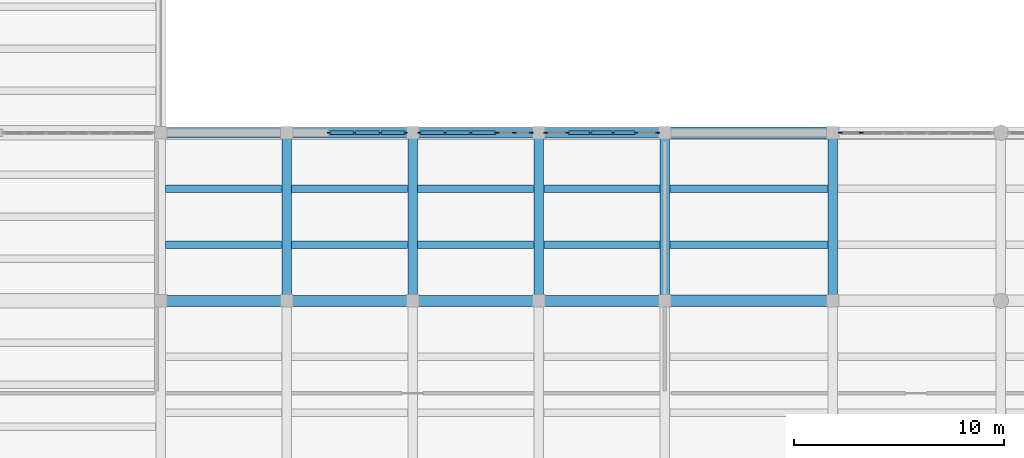
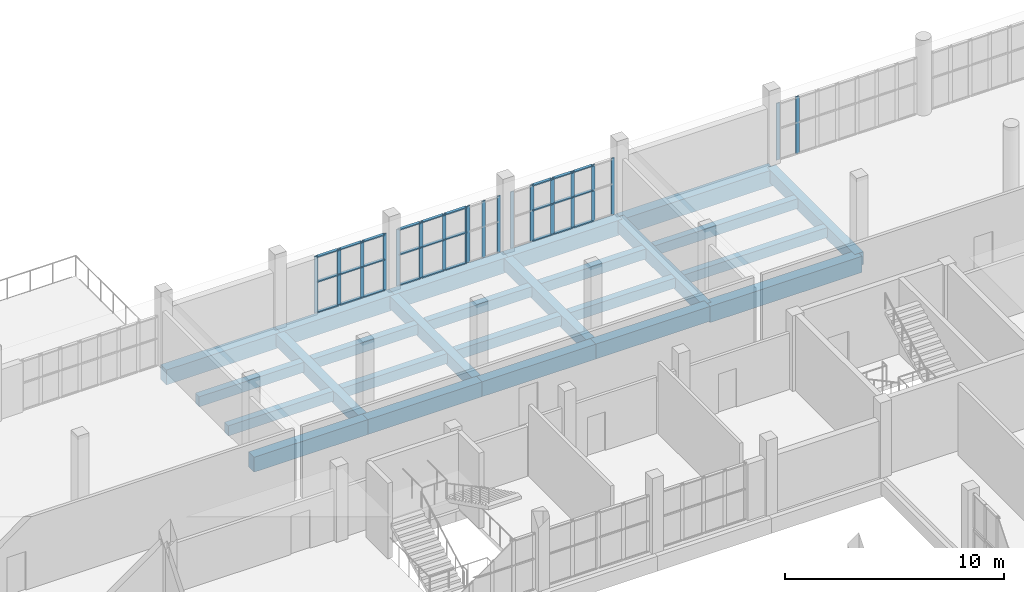
# One storey, part 25 of 85: 46 members, 25 beams, 5 elements without a shape of their own.
"""IFC4 building model written with IfcOpenShell, lengths in metres."""

from ifc_helpers import new_model, si_unit, direction, frame, origin, origin_2d, place, context, subcontext, project, spatial, rectangle, extrude, material, layer, layer_set, material_profile, profile_set, type_object, element, aggregate, save


model = new_model("IFC4")

# Units and contexts
model_context = context("Model", 3, precision=1e-05, world=origin(), true_north=direction((0.0, 1.0)))
body_context = subcontext(model_context, "Body", "Model", "MODEL_VIEW")
ifc_project = project(units=[si_unit("LENGTHUNIT", "METRE"), si_unit("AREAUNIT", "SQUARE_METRE"), si_unit("VOLUMEUNIT", "CUBIC_METRE"), si_unit("PLANEANGLEUNIT", "RADIAN"), si_unit("MASSUNIT", "GRAM", prefix="KILO")], contexts=[model_context])

# Site, building, storey
site_placement = place(None, origin())
site = spatial("IfcSite", under=ifc_project, at=site_placement, CompositionType="ELEMENT")
building_placement = place(site_placement, origin())
building = spatial("IfcBuilding", under=site, at=building_placement, Name="Solvane Community Centre", CompositionType="ELEMENT")
storey_placement = place(building_placement, frame((0.0, 0.0, 5.39990234375)))
storey = spatial("IfcBuildingStorey", under=building, at=storey_placement, Name="L01", CompositionType="ELEMENT", Elevation=5.39990234375)

# Curtain wall, members
ifc_material_1 = material(Name="Anodised bronze aluminium AW-6063 T6", Category="aluminium")
ifc_layer_1 = layer(ifc_material_1, 0.18994140625)
ifc_layer_set_1 = layer_set([ifc_layer_1], Name="Anodised bronze aluminium AW-6063 T6")
curtain_wall_type_1 = type_object("IfcCurtainWallType", Name="Boulevard Bronze Vision Curtain Wall [37x31dm]", PredefinedType="NOTDEFINED", material=ifc_layer_set_1)
curtain_wall_1_placement = place(storey_placement, origin())
curtain_wall_1 = element("IfcCurtainWall", 1, at=curtain_wall_1_placement, inside=storey, type_object=curtain_wall_type_1, Name="Curtain Wall CW-L01-440_1100-088", PredefinedType="NOTDEFINED")
ifc_material_profile_1 = material_profile(ifc_material_1, rectangle(XDim=0.06005859375, YDim=0.18994140625, at=origin_2d()), Name="CW-M 60x190")
ifc_profile_set_1 = profile_set([ifc_material_profile_1], Name="Anodised bronze aluminium AW-6063 T6")
member_type_1 = type_object("IfcMemberType", Name="Boulevard Mullion 60x190", PredefinedType="MULLION", material=ifc_profile_set_1)
member_1_placement = place(storey_placement, frame((44.030029296875, 110.0, 0.0), z_axis=(0.0, 0.0, 1.0), x_axis=(0.0, 1.0, 0.0)))
member_1 = element("IfcMember", 2, at=member_1_placement, type_object=member_type_1, Name="CW02-37x31 mullion 1", PredefinedType="MULLION", context=body_context, shape_type="SweptSolid", body=[
    extrude(rectangle(XDim=0.06005859375, YDim=0.18994140625, at=origin_2d()), origin(), (0.0, 0.0, 1.0), 3.135009765625),
])
member_2_placement = place(storey_placement, frame((45.228271484375, 110.0, 0.0), z_axis=(0.0, 0.0, 1.0), x_axis=(0.0, 1.0, 0.0)))
member_2 = element("IfcMember", 3, at=member_2_placement, type_object=member_type_1, Name="CW02-37x31 mullion 2", PredefinedType="MULLION", context=body_context, shape_type="SweptSolid", body=[
    extrude(rectangle(XDim=0.06005859375, YDim=0.18994140625, at=origin_2d()), origin(), (0.0, 0.0, 1.0), 3.135009765625),
])
member_3_placement = place(storey_placement, frame((46.456787109375, 110.0, 0.0), z_axis=(0.0, 0.0, 1.0), x_axis=(0.0, 1.0, 0.0)))
member_3 = element("IfcMember", 4, at=member_3_placement, type_object=member_type_1, Name="CW02-37x31 mullion 3", PredefinedType="MULLION", context=body_context, shape_type="SweptSolid", body=[
    extrude(rectangle(XDim=0.06005859375, YDim=0.18994140625, at=origin_2d()), origin(), (0.0, 0.0, 1.0), 3.135009765625),
])
member_4_placement = place(storey_placement, frame((47.655029296875, 110.0, 0.0), z_axis=(0.0, 0.0, 1.0), x_axis=(0.0, 1.0, 0.0)))
member_4 = element("IfcMember", 5, at=member_4_placement, type_object=member_type_1, Name="CW02-37x31 mullion 4", PredefinedType="MULLION", context=body_context, shape_type="SweptSolid", body=[
    extrude(rectangle(XDim=0.06005859375, YDim=0.18994140625, at=origin_2d()), origin(), (0.0, 0.0, 1.0), 3.135009765625),
])

curtain_wall_2_placement = place(storey_placement, origin())
curtain_wall_2 = element("IfcCurtainWall", 6, at=curtain_wall_2_placement, inside=storey, type_object=curtain_wall_type_1, Name="Curtain Wall CW-L01-483_1100-089", PredefinedType="NOTDEFINED")
member_5_placement = place(storey_placement, frame((48.344970703125, 110.0, 0.0), z_axis=(0.0, 0.0, 1.0), x_axis=(0.0, 1.0, 0.0)))
member_5 = element("IfcMember", 7, at=member_5_placement, type_object=member_type_1, Name="CW02-37x31 mullion 1", PredefinedType="MULLION", context=body_context, shape_type="SweptSolid", body=[
    extrude(rectangle(XDim=0.06005859375, YDim=0.18994140625, at=origin_2d()), origin(), (0.0, 0.0, 1.0), 3.135009765625),
])
member_6_placement = place(storey_placement, frame((49.543212890625, 110.0, 0.0), z_axis=(0.0, 0.0, 1.0), x_axis=(0.0, 1.0, 0.0)))
member_6 = element("IfcMember", 8, at=member_6_placement, type_object=member_type_1, Name="CW02-37x31 mullion 2", PredefinedType="MULLION", context=body_context, shape_type="SweptSolid", body=[
    extrude(rectangle(XDim=0.06005859375, YDim=0.18994140625, at=origin_2d()), origin(), (0.0, 0.0, 1.0), 3.135009765625),
])
member_7_placement = place(storey_placement, frame((50.771728515625, 110.0, 0.0), z_axis=(0.0, 0.0, 1.0), x_axis=(0.0, 1.0, 0.0)))
member_7 = element("IfcMember", 9, at=member_7_placement, type_object=member_type_1, Name="CW02-37x31 mullion 3", PredefinedType="MULLION", context=body_context, shape_type="SweptSolid", body=[
    extrude(rectangle(XDim=0.06005859375, YDim=0.18994140625, at=origin_2d()), origin(), (0.0, 0.0, 1.0), 3.135009765625),
])
member_8_placement = place(storey_placement, frame((51.969970703125, 110.0, 0.0), z_axis=(0.0, 0.0, 1.0), x_axis=(0.0, 1.0, 0.0)))
member_8 = element("IfcMember", 10, at=member_8_placement, type_object=member_type_1, Name="CW02-37x31 mullion 4", PredefinedType="MULLION", context=body_context, shape_type="SweptSolid", body=[
    extrude(rectangle(XDim=0.06005859375, YDim=0.18994140625, at=origin_2d()), origin(), (0.0, 0.0, 1.0), 3.135009765625),
])

ifc_layer_2 = layer(ifc_material_1, 0.18994140625)
ifc_layer_set_2 = layer_set([ifc_layer_2], Name="Anodised bronze aluminium AW-6063 T6")
curtain_wall_type_2 = type_object("IfcCurtainWallType", Name="Boulevard Bronze Vision Curtain Wall [17x31dm]", PredefinedType="NOTDEFINED", material=ifc_layer_set_2)
curtain_wall_3_placement = place(storey_placement, origin())
curtain_wall_3 = element("IfcCurtainWall", 11, at=curtain_wall_3_placement, inside=storey, type_object=curtain_wall_type_2, Name="Curtain Wall CW-L01-520_1100-090", PredefinedType="NOTDEFINED")
member_9_placement = place(storey_placement, frame((52.030029296875, 110.0, 0.0), z_axis=(0.0, 0.0, 1.0), x_axis=(0.0, 1.0, 0.0)))
member_9 = element("IfcMember", 12, at=member_9_placement, type_object=member_type_1, Name="CW02-17x31 mullion 1", PredefinedType="MULLION", context=body_context, shape_type="SweptSolid", body=[
    extrude(rectangle(XDim=0.06005859375, YDim=0.18994140625, at=origin_2d()), origin(), (0.0, 0.0, 1.0), 3.135009765625),
])
member_10_placement = place(storey_placement, frame((52.842529296875, 110.0, 0.0), z_axis=(0.0, 0.0, 1.0), x_axis=(0.0, 1.0, 0.0)))
member_10 = element("IfcMember", 13, at=member_10_placement, type_object=member_type_1, Name="CW02-17x31 mullion 2", PredefinedType="MULLION", context=body_context, shape_type="SweptSolid", body=[
    extrude(rectangle(XDim=0.06005859375, YDim=0.18994140625, at=origin_2d()), origin(), (0.0, 0.0, 1.0), 3.135009765625),
])
member_11_placement = place(storey_placement, frame((53.655029296875, 110.0, 0.0), z_axis=(0.0, 0.0, 1.0), x_axis=(0.0, 1.0, 0.0)))
member_11 = element("IfcMember", 14, at=member_11_placement, type_object=member_type_1, Name="CW02-17x31 mullion 3", PredefinedType="MULLION", context=body_context, shape_type="SweptSolid", body=[
    extrude(rectangle(XDim=0.06005859375, YDim=0.18994140625, at=origin_2d()), origin(), (0.0, 0.0, 1.0), 3.135009765625),
])
aggregate(curtain_wall_3, [member_9, member_10, member_11])

ifc_layer_3 = layer(ifc_material_1, 0.18994140625)
ifc_layer_set_3 = layer_set([ifc_layer_3], Name="Anodised bronze aluminium AW-6063 T6")
curtain_wall_type_3 = type_object("IfcCurtainWallType", Name="Boulevard Bronze Vision Curtain Wall [54x31dm]", PredefinedType="NOTDEFINED", material=ifc_layer_set_3)
curtain_wall_4_placement = place(storey_placement, origin())
curtain_wall_4 = element("IfcCurtainWall", 15, at=curtain_wall_4_placement, inside=storey, type_object=curtain_wall_type_3, Name="Curtain Wall CW-L01-543_1100-091", PredefinedType="NOTDEFINED")
member_12_placement = place(storey_placement, frame((54.344970703125, 110.0, 0.0), z_axis=(0.0, 0.0, 1.0), x_axis=(0.0, 1.0, 0.0)))
member_12 = element("IfcMember", 16, at=member_12_placement, type_object=member_type_1, Name="CW02-54x31 mullion 1", PredefinedType="MULLION", context=body_context, shape_type="SweptSolid", body=[
    extrude(rectangle(XDim=0.06005859375, YDim=0.18994140625, at=origin_2d()), origin(), (0.0, 0.0, 1.0), 3.135009765625),
])
member_13_placement = place(storey_placement, frame((55.388916015625, 110.0, 0.0), z_axis=(0.0, 0.0, 1.0), x_axis=(0.0, 1.0, 0.0)))
member_13 = element("IfcMember", 17, at=member_13_placement, type_object=member_type_1, Name="CW02-54x31 mullion 2", PredefinedType="MULLION", context=body_context, shape_type="SweptSolid", body=[
    extrude(rectangle(XDim=0.06005859375, YDim=0.18994140625, at=origin_2d()), origin(), (0.0, 0.0, 1.0), 3.135009765625),
])
member_14_placement = place(storey_placement, frame((56.462890625, 110.0, 0.0), z_axis=(0.0, 0.0, 1.0), x_axis=(0.0, 1.0, 0.0)))
member_14 = element("IfcMember", 18, at=member_14_placement, type_object=member_type_1, Name="CW02-54x31 mullion 3", PredefinedType="MULLION", context=body_context, shape_type="SweptSolid", body=[
    extrude(rectangle(XDim=0.06005859375, YDim=0.18994140625, at=origin_2d()), origin(), (0.0, 0.0, 1.0), 3.135009765625),
])
member_15_placement = place(storey_placement, frame((57.537109375, 110.0, 0.0), z_axis=(0.0, 0.0, 1.0), x_axis=(0.0, 1.0, 0.0)))
member_15 = element("IfcMember", 19, at=member_15_placement, type_object=member_type_1, Name="CW02-54x31 mullion 4", PredefinedType="MULLION", context=body_context, shape_type="SweptSolid", body=[
    extrude(rectangle(XDim=0.06005859375, YDim=0.18994140625, at=origin_2d()), origin(), (0.0, 0.0, 1.0), 3.135009765625),
])
member_16_placement = place(storey_placement, frame((58.611083984375, 110.0, 0.0), z_axis=(0.0, 0.0, 1.0), x_axis=(0.0, 1.0, 0.0)))
member_16 = element("IfcMember", 20, at=member_16_placement, type_object=member_type_1, Name="CW02-54x31 mullion 5", PredefinedType="MULLION", context=body_context, shape_type="SweptSolid", body=[
    extrude(rectangle(XDim=0.06005859375, YDim=0.18994140625, at=origin_2d()), origin(), (0.0, 0.0, 1.0), 3.135009765625),
])
member_17_placement = place(storey_placement, frame((59.655029296875, 110.0, 0.0), z_axis=(0.0, 0.0, 1.0), x_axis=(0.0, 1.0, 0.0)))
member_17 = element("IfcMember", 21, at=member_17_placement, type_object=member_type_1, Name="CW02-54x31 mullion 6", PredefinedType="MULLION", context=body_context, shape_type="SweptSolid", body=[
    extrude(rectangle(XDim=0.06005859375, YDim=0.18994140625, at=origin_2d()), origin(), (0.0, 0.0, 1.0), 3.135009765625),
])

ifc_layer_4 = layer(ifc_material_1, 0.18994140625)
ifc_layer_set_4 = layer_set([ifc_layer_4], Name="Anodised bronze aluminium AW-6063 T6")
curtain_wall_type_4 = type_object("IfcCurtainWallType", Name="Boulevard Bronze Vision Curtain Wall [73x32dm]", PredefinedType="NOTDEFINED", material=ifc_layer_set_4)
curtain_wall_5_placement = place(storey_placement, origin())
curtain_wall_5 = element("IfcCurtainWall", 22, at=curtain_wall_5_placement, inside=storey, type_object=curtain_wall_type_4, Name="Curtain Wall CW-L01-683_1100-092", PredefinedType="NOTDEFINED")
member_18_placement = place(storey_placement, frame((68.344970703125, 110.0, 0.0), z_axis=(0.0, 0.0, 1.0), x_axis=(0.0, 1.0, 0.0)))
member_18 = element("IfcMember", 23, at=member_18_placement, type_object=member_type_1, Name="CW02-73x32 mullion 1", PredefinedType="MULLION", context=body_context, shape_type="SweptSolid", body=[
    extrude(rectangle(XDim=0.06005859375, YDim=0.18994140625, at=origin_2d()), origin(), (0.0, 0.0, 1.0), 3.1650390625),
])
member_19_placement = place(storey_placement, frame((69.359375, 110.0, 0.0), z_axis=(0.0, 0.0, 1.0), x_axis=(0.0, 1.0, 0.0)))
member_19 = element("IfcMember", 24, at=member_19_placement, type_object=member_type_1, Name="CW02-73x32 mullion 2", PredefinedType="MULLION", context=body_context, shape_type="SweptSolid", body=[
    extrude(rectangle(XDim=0.06005859375, YDim=0.18994140625, at=origin_2d()), origin(), (0.0, 0.0, 1.0), 3.1650390625),
])
aggregate(curtain_wall_5, [member_18, member_19])

# Member
ifc_material_profile_2 = material_profile(ifc_material_1, rectangle(XDim=0.14990234375, YDim=0.06005859375, at=origin_2d()), Name="CW-T 60x150")
ifc_profile_set_2 = profile_set([ifc_material_profile_2], Name="Anodised bronze aluminium AW-6063 T6")
member_type_2 = type_object("IfcMemberType", Name="Boulevard Transom 60x150", PredefinedType="USERDEFINED", material=ifc_profile_set_2)
member_20_placement = place(storey_placement, frame((44.06005859375, 110.0, 0.030029296875), z_axis=(1.0, 0.0, 0.0), x_axis=(0.0, 1.0, 0.0)))
member_20 = element("IfcMember", 25, at=member_20_placement, type_object=member_type_2, Name="CW02-37x31 transom 1.1", ObjectType="TRANSOM", PredefinedType="USERDEFINED", context=body_context, shape_type="SweptSolid", body=[
    extrude(rectangle(XDim=0.14990234375, YDim=0.06005859375, at=origin_2d()), origin(), (0.0, 0.0, 1.0), 1.13818359375),
])

member_21_placement = place(storey_placement, frame((44.06005859375, 110.0, 1.72412109375), z_axis=(1.0, 0.0, 0.0), x_axis=(0.0, 1.0, 0.0)))
member_21 = element("IfcMember", 26, at=member_21_placement, type_object=member_type_2, Name="CW02-37x31 transom 1.2", ObjectType="TRANSOM", PredefinedType="USERDEFINED", context=body_context, shape_type="SweptSolid", body=[
    extrude(rectangle(XDim=0.14990234375, YDim=0.06005859375, at=origin_2d()), origin(), (0.0, 0.0, 1.0), 1.13818359375),
])

member_22_placement = place(storey_placement, frame((44.06005859375, 110.0, 3.10498046875), z_axis=(1.0, 0.0, 0.0), x_axis=(0.0, 1.0, 0.0)))
member_22 = element("IfcMember", 27, at=member_22_placement, type_object=member_type_2, Name="CW02-37x31 transom 1.3", ObjectType="TRANSOM", PredefinedType="USERDEFINED", context=body_context, shape_type="SweptSolid", body=[
    extrude(rectangle(XDim=0.14990234375, YDim=0.06005859375, at=origin_2d()), origin(), (0.0, 0.0, 1.0), 1.13818359375),
])

member_23_placement = place(storey_placement, frame((45.25830078125, 110.0, 0.030029296875), z_axis=(1.0, 0.0, 0.0), x_axis=(0.0, 1.0, 0.0)))
member_23 = element("IfcMember", 28, at=member_23_placement, type_object=member_type_2, Name="CW02-37x31 transom 2.1", ObjectType="TRANSOM", PredefinedType="USERDEFINED", context=body_context, shape_type="SweptSolid", body=[
    extrude(rectangle(XDim=0.14990234375, YDim=0.06005859375, at=origin_2d()), origin(), (0.0, 0.0, 1.0), 1.16845703125),
])

member_24_placement = place(storey_placement, frame((45.25830078125, 110.0, 1.72412109375), z_axis=(1.0, 0.0, 0.0), x_axis=(0.0, 1.0, 0.0)))
member_24 = element("IfcMember", 29, at=member_24_placement, type_object=member_type_2, Name="CW02-37x31 transom 2.2", ObjectType="TRANSOM", PredefinedType="USERDEFINED", context=body_context, shape_type="SweptSolid", body=[
    extrude(rectangle(XDim=0.14990234375, YDim=0.06005859375, at=origin_2d()), origin(), (0.0, 0.0, 1.0), 1.16845703125),
])

member_25_placement = place(storey_placement, frame((45.25830078125, 110.0, 3.10498046875), z_axis=(1.0, 0.0, 0.0), x_axis=(0.0, 1.0, 0.0)))
member_25 = element("IfcMember", 30, at=member_25_placement, type_object=member_type_2, Name="CW02-37x31 transom 2.3", ObjectType="TRANSOM", PredefinedType="USERDEFINED", context=body_context, shape_type="SweptSolid", body=[
    extrude(rectangle(XDim=0.14990234375, YDim=0.06005859375, at=origin_2d()), origin(), (0.0, 0.0, 1.0), 1.16845703125),
])

member_26_placement = place(storey_placement, frame((46.486572265625, 110.0, 0.030029296875), z_axis=(1.0, 0.0, 0.0), x_axis=(0.0, 1.0, 0.0)))
member_26 = element("IfcMember", 31, at=member_26_placement, type_object=member_type_2, Name="CW02-37x31 transom 3.1", ObjectType="TRANSOM", PredefinedType="USERDEFINED", context=body_context, shape_type="SweptSolid", body=[
    extrude(rectangle(XDim=0.14990234375, YDim=0.06005859375, at=origin_2d()), origin(), (0.0, 0.0, 1.0), 1.138427734375),
])

member_27_placement = place(storey_placement, frame((46.486572265625, 110.0, 1.72412109375), z_axis=(1.0, 0.0, 0.0), x_axis=(0.0, 1.0, 0.0)))
member_27 = element("IfcMember", 32, at=member_27_placement, type_object=member_type_2, Name="CW02-37x31 transom 3.2", ObjectType="TRANSOM", PredefinedType="USERDEFINED", context=body_context, shape_type="SweptSolid", body=[
    extrude(rectangle(XDim=0.14990234375, YDim=0.06005859375, at=origin_2d()), origin(), (0.0, 0.0, 1.0), 1.138427734375),
])

member_28_placement = place(storey_placement, frame((46.486572265625, 110.0, 3.10498046875), z_axis=(1.0, 0.0, 0.0), x_axis=(0.0, 1.0, 0.0)))
member_28 = element("IfcMember", 33, at=member_28_placement, type_object=member_type_2, Name="CW02-37x31 transom 3.3", ObjectType="TRANSOM", PredefinedType="USERDEFINED", context=body_context, shape_type="SweptSolid", body=[
    extrude(rectangle(XDim=0.14990234375, YDim=0.06005859375, at=origin_2d()), origin(), (0.0, 0.0, 1.0), 1.138427734375),
])

aggregate(curtain_wall_1, [member_1, member_2, member_3, member_4, member_20, member_21, member_22, member_23, member_24, member_25, member_26, member_27, member_28])

member_29_placement = place(storey_placement, frame((48.375, 110.0, 0.030029296875), z_axis=(1.0, 0.0, 0.0), x_axis=(0.0, 1.0, 0.0)))
member_29 = element("IfcMember", 34, at=member_29_placement, type_object=member_type_2, Name="CW02-37x31 transom 1.1", ObjectType="TRANSOM", PredefinedType="USERDEFINED", context=body_context, shape_type="SweptSolid", body=[
    extrude(rectangle(XDim=0.14990234375, YDim=0.06005859375, at=origin_2d()), origin(), (0.0, 0.0, 1.0), 1.138427734375),
])

member_30_placement = place(storey_placement, frame((48.375, 110.0, 1.72412109375), z_axis=(1.0, 0.0, 0.0), x_axis=(0.0, 1.0, 0.0)))
member_30 = element("IfcMember", 35, at=member_30_placement, type_object=member_type_2, Name="CW02-37x31 transom 1.2", ObjectType="TRANSOM", PredefinedType="USERDEFINED", context=body_context, shape_type="SweptSolid", body=[
    extrude(rectangle(XDim=0.14990234375, YDim=0.06005859375, at=origin_2d()), origin(), (0.0, 0.0, 1.0), 1.138427734375),
])

member_31_placement = place(storey_placement, frame((48.375, 110.0, 3.10498046875), z_axis=(1.0, 0.0, 0.0), x_axis=(0.0, 1.0, 0.0)))
member_31 = element("IfcMember", 36, at=member_31_placement, type_object=member_type_2, Name="CW02-37x31 transom 1.3", ObjectType="TRANSOM", PredefinedType="USERDEFINED", context=body_context, shape_type="SweptSolid", body=[
    extrude(rectangle(XDim=0.14990234375, YDim=0.06005859375, at=origin_2d()), origin(), (0.0, 0.0, 1.0), 1.138427734375),
])

member_32_placement = place(storey_placement, frame((49.5732421875, 110.0, 0.030029296875), z_axis=(1.0, 0.0, 0.0), x_axis=(0.0, 1.0, 0.0)))
member_32 = element("IfcMember", 37, at=member_32_placement, type_object=member_type_2, Name="CW02-37x31 transom 2.1", ObjectType="TRANSOM", PredefinedType="USERDEFINED", context=body_context, shape_type="SweptSolid", body=[
    extrude(rectangle(XDim=0.14990234375, YDim=0.06005859375, at=origin_2d()), origin(), (0.0, 0.0, 1.0), 1.16845703125),
])

member_33_placement = place(storey_placement, frame((49.5732421875, 110.0, 1.72412109375), z_axis=(1.0, 0.0, 0.0), x_axis=(0.0, 1.0, 0.0)))
member_33 = element("IfcMember", 38, at=member_33_placement, type_object=member_type_2, Name="CW02-37x31 transom 2.2", ObjectType="TRANSOM", PredefinedType="USERDEFINED", context=body_context, shape_type="SweptSolid", body=[
    extrude(rectangle(XDim=0.14990234375, YDim=0.06005859375, at=origin_2d()), origin(), (0.0, 0.0, 1.0), 1.16845703125),
])

member_34_placement = place(storey_placement, frame((49.5732421875, 110.0, 3.10498046875), z_axis=(1.0, 0.0, 0.0), x_axis=(0.0, 1.0, 0.0)))
member_34 = element("IfcMember", 39, at=member_34_placement, type_object=member_type_2, Name="CW02-37x31 transom 2.3", ObjectType="TRANSOM", PredefinedType="USERDEFINED", context=body_context, shape_type="SweptSolid", body=[
    extrude(rectangle(XDim=0.14990234375, YDim=0.06005859375, at=origin_2d()), origin(), (0.0, 0.0, 1.0), 1.16845703125),
])

member_35_placement = place(storey_placement, frame((50.8017578125, 110.0, 0.030029296875), z_axis=(1.0, 0.0, 0.0), x_axis=(0.0, 1.0, 0.0)))
member_35 = element("IfcMember", 40, at=member_35_placement, type_object=member_type_2, Name="CW02-37x31 transom 3.1", ObjectType="TRANSOM", PredefinedType="USERDEFINED", context=body_context, shape_type="SweptSolid", body=[
    extrude(rectangle(XDim=0.14990234375, YDim=0.06005859375, at=origin_2d()), origin(), (0.0, 0.0, 1.0), 1.13818359375),
])

member_36_placement = place(storey_placement, frame((50.8017578125, 110.0, 1.72412109375), z_axis=(1.0, 0.0, 0.0), x_axis=(0.0, 1.0, 0.0)))
member_36 = element("IfcMember", 41, at=member_36_placement, type_object=member_type_2, Name="CW02-37x31 transom 3.2", ObjectType="TRANSOM", PredefinedType="USERDEFINED", context=body_context, shape_type="SweptSolid", body=[
    extrude(rectangle(XDim=0.14990234375, YDim=0.06005859375, at=origin_2d()), origin(), (0.0, 0.0, 1.0), 1.13818359375),
])

member_37_placement = place(storey_placement, frame((50.8017578125, 110.0, 3.10498046875), z_axis=(1.0, 0.0, 0.0), x_axis=(0.0, 1.0, 0.0)))
member_37 = element("IfcMember", 42, at=member_37_placement, type_object=member_type_2, Name="CW02-37x31 transom 3.3", ObjectType="TRANSOM", PredefinedType="USERDEFINED", context=body_context, shape_type="SweptSolid", body=[
    extrude(rectangle(XDim=0.14990234375, YDim=0.06005859375, at=origin_2d()), origin(), (0.0, 0.0, 1.0), 1.13818359375),
])

aggregate(curtain_wall_2, [member_5, member_6, member_7, member_8, member_29, member_30, member_31, member_32, member_33, member_34, member_35, member_36, member_37])

member_38_placement = place(storey_placement, frame((55.4189453125, 110.0, 0.030029296875), z_axis=(1.0, 0.0, 0.0), x_axis=(0.0, 1.0, 0.0)))
member_38 = element("IfcMember", 43, at=member_38_placement, type_object=member_type_2, Name="CW02-54x31 transom 2.1", ObjectType="TRANSOM", PredefinedType="USERDEFINED", context=body_context, shape_type="SweptSolid", body=[
    extrude(rectangle(XDim=0.14990234375, YDim=0.06005859375, at=origin_2d()), origin(), (0.0, 0.0, 1.0), 1.01416015625),
])

member_39_placement = place(storey_placement, frame((55.4189453125, 110.0, 1.72412109375), z_axis=(1.0, 0.0, 0.0), x_axis=(0.0, 1.0, 0.0)))
member_39 = element("IfcMember", 44, at=member_39_placement, type_object=member_type_2, Name="CW02-54x31 transom 2.2", ObjectType="TRANSOM", PredefinedType="USERDEFINED", context=body_context, shape_type="SweptSolid", body=[
    extrude(rectangle(XDim=0.14990234375, YDim=0.06005859375, at=origin_2d()), origin(), (0.0, 0.0, 1.0), 1.01416015625),
])

member_40_placement = place(storey_placement, frame((55.4189453125, 110.0, 3.10498046875), z_axis=(1.0, 0.0, 0.0), x_axis=(0.0, 1.0, 0.0)))
member_40 = element("IfcMember", 45, at=member_40_placement, type_object=member_type_2, Name="CW02-54x31 transom 2.3", ObjectType="TRANSOM", PredefinedType="USERDEFINED", context=body_context, shape_type="SweptSolid", body=[
    extrude(rectangle(XDim=0.14990234375, YDim=0.06005859375, at=origin_2d()), origin(), (0.0, 0.0, 1.0), 1.01416015625),
])

member_41_placement = place(storey_placement, frame((56.492919921875, 110.0, 0.030029296875), z_axis=(1.0, 0.0, 0.0), x_axis=(0.0, 1.0, 0.0)))
member_41 = element("IfcMember", 46, at=member_41_placement, type_object=member_type_2, Name="CW02-54x31 transom 3.1", ObjectType="TRANSOM", PredefinedType="USERDEFINED", context=body_context, shape_type="SweptSolid", body=[
    extrude(rectangle(XDim=0.14990234375, YDim=0.06005859375, at=origin_2d()), origin(), (0.0, 0.0, 1.0), 1.01416015625),
])

member_42_placement = place(storey_placement, frame((56.492919921875, 110.0, 1.72412109375), z_axis=(1.0, 0.0, 0.0), x_axis=(0.0, 1.0, 0.0)))
member_42 = element("IfcMember", 47, at=member_42_placement, type_object=member_type_2, Name="CW02-54x31 transom 3.2", ObjectType="TRANSOM", PredefinedType="USERDEFINED", context=body_context, shape_type="SweptSolid", body=[
    extrude(rectangle(XDim=0.14990234375, YDim=0.06005859375, at=origin_2d()), origin(), (0.0, 0.0, 1.0), 1.01416015625),
])

member_43_placement = place(storey_placement, frame((56.492919921875, 110.0, 3.10498046875), z_axis=(1.0, 0.0, 0.0), x_axis=(0.0, 1.0, 0.0)))
member_43 = element("IfcMember", 48, at=member_43_placement, type_object=member_type_2, Name="CW02-54x31 transom 3.3", ObjectType="TRANSOM", PredefinedType="USERDEFINED", context=body_context, shape_type="SweptSolid", body=[
    extrude(rectangle(XDim=0.14990234375, YDim=0.06005859375, at=origin_2d()), origin(), (0.0, 0.0, 1.0), 1.01416015625),
])

member_44_placement = place(storey_placement, frame((57.56689453125, 110.0, 0.030029296875), z_axis=(1.0, 0.0, 0.0), x_axis=(0.0, 1.0, 0.0)))
member_44 = element("IfcMember", 49, at=member_44_placement, type_object=member_type_2, Name="CW02-54x31 transom 4.1", ObjectType="TRANSOM", PredefinedType="USERDEFINED", context=body_context, shape_type="SweptSolid", body=[
    extrude(rectangle(XDim=0.14990234375, YDim=0.06005859375, at=origin_2d()), origin(), (0.0, 0.0, 1.0), 1.01416015625),
])

member_45_placement = place(storey_placement, frame((57.56689453125, 110.0, 1.72412109375), z_axis=(1.0, 0.0, 0.0), x_axis=(0.0, 1.0, 0.0)))
member_45 = element("IfcMember", 50, at=member_45_placement, type_object=member_type_2, Name="CW02-54x31 transom 4.2", ObjectType="TRANSOM", PredefinedType="USERDEFINED", context=body_context, shape_type="SweptSolid", body=[
    extrude(rectangle(XDim=0.14990234375, YDim=0.06005859375, at=origin_2d()), origin(), (0.0, 0.0, 1.0), 1.01416015625),
])

member_46_placement = place(storey_placement, frame((57.56689453125, 110.0, 3.10498046875), z_axis=(1.0, 0.0, 0.0), x_axis=(0.0, 1.0, 0.0)))
member_46 = element("IfcMember", 51, at=member_46_placement, type_object=member_type_2, Name="CW02-54x31 transom 4.3", ObjectType="TRANSOM", PredefinedType="USERDEFINED", context=body_context, shape_type="SweptSolid", body=[
    extrude(rectangle(XDim=0.14990234375, YDim=0.06005859375, at=origin_2d()), origin(), (0.0, 0.0, 1.0), 1.01416015625),
])

aggregate(curtain_wall_4, [member_12, member_13, member_14, member_15, member_16, member_17, member_38, member_39, member_40, member_41, member_42, member_43, member_44, member_45, member_46])

# Beams
ifc_material_2 = material(Name="Concrete C35/45", Category="concrete")
ifc_material_profile_3 = material_profile(ifc_material_2, rectangle(XDim=0.449951171875, YDim=0.699951171875, at=origin_2d()), Name="RC 450x700")
ifc_profile_set_3 = profile_set([ifc_material_profile_3], Name="Concrete C35/45")
beam_type_1 = type_object("IfcBeamType", Name="RC Floor Beam 450x700", PredefinedType="BEAM", material=ifc_profile_set_3)
for number, where, z_axis, x_axis, name in (
    (52, (42.0, 102.0, -0.58984375), (0.0, 1.0, 0.0), (-1.0, 0.0, 0.0), "Beam BM-L01-420_1020-420_1100"),
    (53, (48.0, 102.0, -0.58984375), (0.0, 1.0, 0.0), (-1.0, 0.0, 0.0), "Beam BM-L01-480_1020-480_1100"),
    (54, (54.0, 102.0, -0.58984375), (0.0, 1.0, 0.0), (-1.0, 0.0, 0.0), "Beam BM-L01-540_1020-540_1100"),
    (55, (60.0, 102.0, -0.58984375), (0.0, 1.0, 0.0), (-1.0, 0.0, 0.0), "Beam BM-L01-600_1020-600_1100"),
    (56, (68.0, 102.0, -0.58984375), (0.0, 1.0, 0.0), (-1.0, 0.0, 0.0), "Beam BM-L01-680_1020-680_1100"),
):
    element("IfcBeam", number, at=place(storey_placement, frame(where, z_axis=z_axis, x_axis=x_axis)), inside=storey, type_object=beam_type_1, Name=name, PredefinedType="BEAM", context=body_context, shape_type="SweptSolid", body=[
        extrude(rectangle(XDim=0.449951171875, YDim=0.699951171875, at=origin_2d()), origin(), (0.0, 0.0, 1.0), 8.0),
    ])
ifc_material_profile_4 = material_profile(ifc_material_2, rectangle(XDim=0.550048828125, YDim=0.89990234375, at=origin_2d()), Name="RC 550x900")
ifc_profile_set_4 = profile_set([ifc_material_profile_4], Name="Concrete C35/45")
beam_type_2 = type_object("IfcBeamType", Name="RC Heavy Girder 550x900", PredefinedType="USERDEFINED", material=ifc_profile_set_4)
for number, where, z_axis, x_axis, name in (
    (57, (60.0, 102.0, -0.68994140625), (1.0, 0.0, 0.0), (0.0, 1.0, 0.0), "Beam BM-L01-600_1020-680_1020"),
    (58, (60.0, 110.0, -0.68994140625), (1.0, 0.0, 0.0), (0.0, 1.0, 0.0), "Beam BM-L01-600_1100-680_1100"),
):
    element("IfcBeam", number, at=place(storey_placement, frame(where, z_axis=z_axis, x_axis=x_axis)), inside=storey, type_object=beam_type_2, Name=name, ObjectType="GIRDER", PredefinedType="USERDEFINED", context=body_context, shape_type="SweptSolid", body=[
        extrude(rectangle(XDim=0.550048828125, YDim=0.89990234375, at=origin_2d()), origin(), (0.0, 0.0, 1.0), 8.0),
    ])
ifc_material_profile_5 = material_profile(ifc_material_2, rectangle(XDim=0.52001953125, YDim=0.830078125, at=origin_2d()), Name="RC 520x830")
ifc_profile_set_5 = profile_set([ifc_material_profile_5], Name="Concrete C35/45")
beam_type_3 = type_object("IfcBeamType", Name="RC Medium Girder 520x830", PredefinedType="USERDEFINED", material=ifc_profile_set_5)
for number, where, z_axis, x_axis, name in (
    (59, (36.0, 102.0, -0.65478515625), (1.0, 0.0, 0.0), (0.0, 1.0, 0.0), "Beam BM-L01-360_1020-420_1020"),
    (60, (42.0, 102.0, -0.65478515625), (1.0, 0.0, 0.0), (0.0, 1.0, 0.0), "Beam BM-L01-420_1020-480_1020"),
    (61, (48.0, 102.0, -0.65478515625), (1.0, 0.0, 0.0), (0.0, 1.0, 0.0), "Beam BM-L01-480_1020-540_1020"),
    (62, (54.0, 102.0, -0.65478515625), (1.0, 0.0, 0.0), (0.0, 1.0, 0.0), "Beam BM-L01-540_1020-600_1020"),
    (63, (36.0, 110.0, -0.65478515625), (1.0, 0.0, 0.0), (0.0, 1.0, 0.0), "Beam BM-L01-360_1100-420_1100"),
    (64, (42.0, 110.0, -0.65478515625), (1.0, 0.0, 0.0), (0.0, 1.0, 0.0), "Beam BM-L01-420_1100-480_1100"),
    (65, (48.0, 110.0, -0.65478515625), (1.0, 0.0, 0.0), (0.0, 1.0, 0.0), "Beam BM-L01-480_1100-540_1100"),
    (66, (54.0, 110.0, -0.65478515625), (1.0, 0.0, 0.0), (0.0, 1.0, 0.0), "Beam BM-L01-540_1100-600_1100"),
):
    element("IfcBeam", number, at=place(storey_placement, frame(where, z_axis=z_axis, x_axis=x_axis)), inside=storey, type_object=beam_type_3, Name=name, ObjectType="GIRDER", PredefinedType="USERDEFINED", context=body_context, shape_type="SweptSolid", body=[
        extrude(rectangle(XDim=0.52001953125, YDim=0.830078125, at=origin_2d()), origin(), (0.0, 0.0, 1.0), 6.0),
    ])
ifc_material_profile_6 = material_profile(ifc_material_2, rectangle(XDim=0.35009765625, YDim=0.550048828125, at=origin_2d()), Name="RC 350x550")
ifc_profile_set_6 = profile_set([ifc_material_profile_6], Name="Concrete C35/45")
beam_type_4 = type_object("IfcBeamType", Name="RC Secondary Joist 350x550", PredefinedType="JOIST", material=ifc_profile_set_6)
for number, where, z_axis, x_axis, name in (
    (67, (60.239990234375, 104.666748046875, -0.514892578125), (1.0, 0.0, 0.0), (0.0, 1.0, 0.0), "Beam BM-L01-602_1047-678_1047"),
    (68, (60.239990234375, 107.333251953125, -0.514892578125), (1.0, 0.0, 0.0), (0.0, 1.0, 0.0), "Beam BM-L01-602_1073-678_1073"),
):
    element("IfcBeam", number, at=place(storey_placement, frame(where, z_axis=z_axis, x_axis=x_axis)), inside=storey, type_object=beam_type_4, Name=name, PredefinedType="JOIST", context=body_context, shape_type="SweptSolid", body=[
        extrude(rectangle(XDim=0.35009765625, YDim=0.550048828125, at=origin_2d()), origin(), (0.0, 0.0, 1.0), 7.52001953125),
    ])
ifc_material_profile_7 = material_profile(ifc_material_2, rectangle(XDim=0.360107421875, YDim=0.56005859375, at=origin_2d()), Name="RC 360x560")
ifc_profile_set_7 = profile_set([ifc_material_profile_7], Name="Concrete C35/45")
beam_type_5 = type_object("IfcBeamType", Name="RC Terrace Joist 360x560", PredefinedType="JOIST", material=ifc_profile_set_7)
for number, where, z_axis, x_axis, name in (
    (69, (36.239990234375, 104.666748046875, -0.52001953125), (1.0, 0.0, 0.0), (0.0, 1.0, 0.0), "Beam BM-L01-362_1047-418_1047"),
    (70, (36.239990234375, 107.333251953125, -0.52001953125), (1.0, 0.0, 0.0), (0.0, 1.0, 0.0), "Beam BM-L01-362_1073-418_1073"),
    (71, (42.239990234375, 104.666748046875, -0.52001953125), (1.0, 0.0, 0.0), (0.0, 1.0, 0.0), "Beam BM-L01-422_1047-478_1047"),
    (72, (42.239990234375, 107.333251953125, -0.52001953125), (1.0, 0.0, 0.0), (0.0, 1.0, 0.0), "Beam BM-L01-422_1073-478_1073"),
    (73, (48.239990234375, 104.666748046875, -0.52001953125), (1.0, 0.0, 0.0), (0.0, 1.0, 0.0), "Beam BM-L01-482_1047-538_1047"),
    (74, (48.239990234375, 107.333251953125, -0.52001953125), (1.0, 0.0, 0.0), (0.0, 1.0, 0.0), "Beam BM-L01-482_1073-538_1073"),
    (75, (54.239990234375, 104.666748046875, -0.52001953125), (1.0, 0.0, 0.0), (0.0, 1.0, 0.0), "Beam BM-L01-542_1047-598_1047"),
    (76, (54.239990234375, 107.333251953125, -0.52001953125), (1.0, 0.0, 0.0), (0.0, 1.0, 0.0), "Beam BM-L01-542_1073-598_1073"),
):
    element("IfcBeam", number, at=place(storey_placement, frame(where, z_axis=z_axis, x_axis=x_axis)), inside=storey, type_object=beam_type_5, Name=name, PredefinedType="JOIST", context=body_context, shape_type="SweptSolid", body=[
        extrude(rectangle(XDim=0.360107421875, YDim=0.56005859375, at=origin_2d()), origin(), (0.0, 0.0, 1.0), 5.52001953125),
    ])

save(model, "model.ifc")
